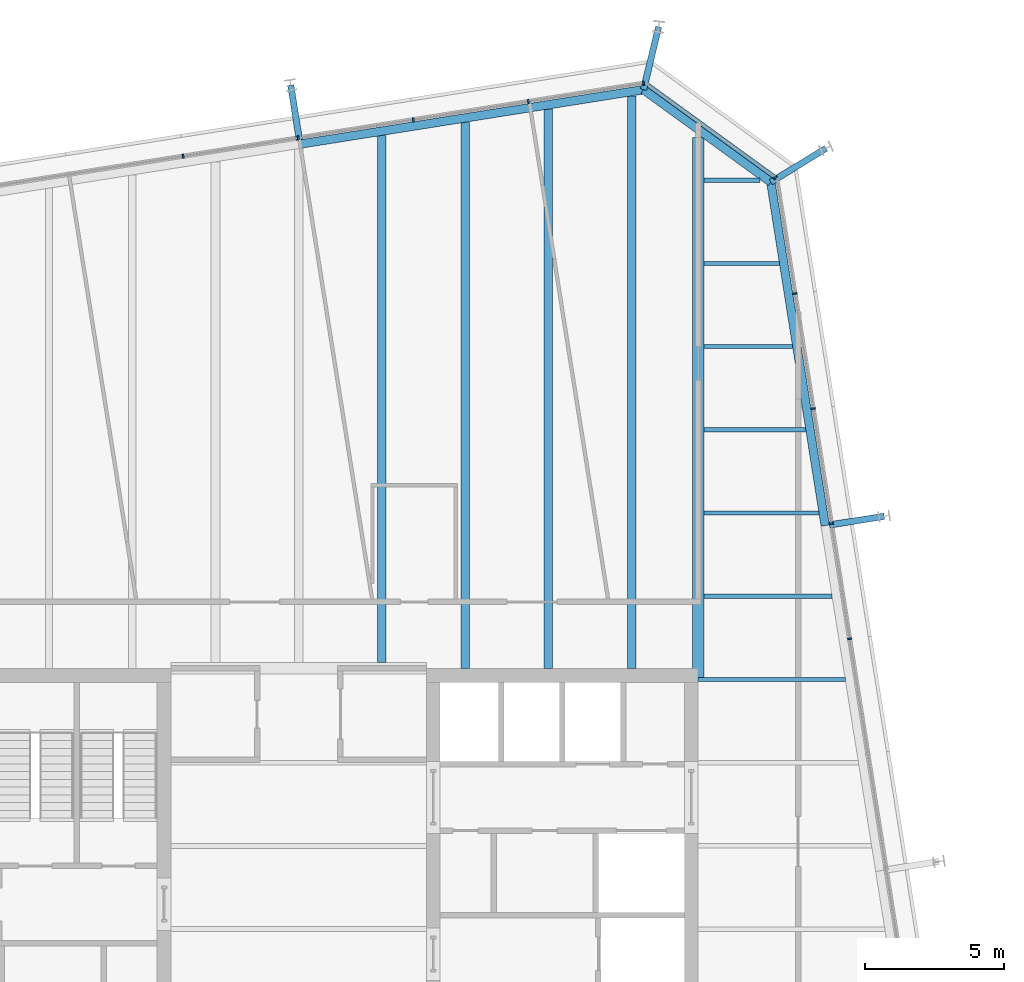
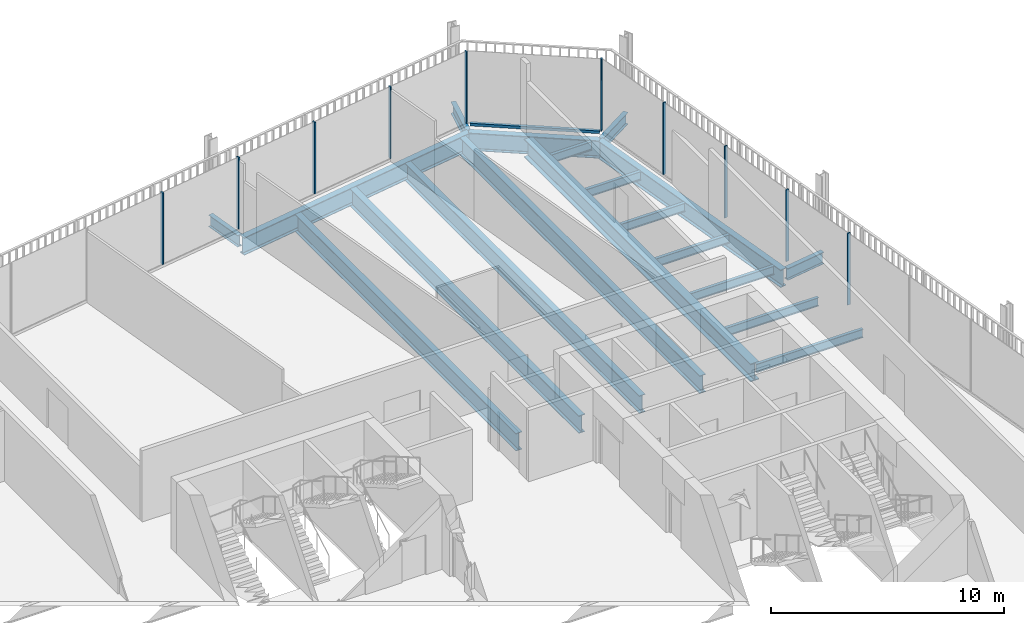
# One storey, part 14 of 20: 19 beams, 11 members, 3 elements without a shape of their own.
"""IFC4 building model written with IfcOpenShell, lengths in metres."""

import ifcopenshell
import ifcopenshell.guid

model = None  # the IFC model being written
_history = None  # IfcOwnerHistory: only IFC2X3 demands one
_inside = {}  # id of a spatial element -> (the spatial element, [elements in it])
_under = {}  # id of a project, library or spatial element -> (it, [spatial elements below it])
_declared = {}  # id of a project -> (the project, [libraries it declares])
_typed = {}  # id of a type object -> (the type object, [elements of that type])
_made_of = {}  # id of a material, layer set ... -> (it, [elements and type objects made of it])


def new_model(schema):
    """Start an empty IFC model of exactly this schema.

    Asked for "IFC4X3", IfcOpenShell would pick the latest addendum, in which some entities
    have other attributes; the version numbers below select the first issue.
    IFC2X3 requires an IfcOwnerHistory on every rooted entity: one is made here for all.
    """
    global model, _history
    if schema == "IFC4X3":
        model = ifcopenshell.file(schema_version=(4, 3, 0, 0))
    else:
        model = ifcopenshell.file(schema=schema)
    _inside.clear()
    _under.clear()
    _declared.clear()
    _typed.clear()
    _made_of.clear()
    _history = None
    if model.schema == "IFC2X3":
        org = make("IfcOrganization", Name="unknown")
        user = make(
            "IfcPersonAndOrganization",
            ThePerson=make("IfcPerson", FamilyName="unknown"),
            TheOrganization=org,
        )
        app = make(
            "IfcApplication",
            ApplicationDeveloper=org,
            Version="unknown",
            ApplicationFullName="unknown",
            ApplicationIdentifier="unknown",
        )
        _history = make(
            "IfcOwnerHistory",
            OwningUser=user,
            OwningApplication=app,
            ChangeAction="ADDED",
            CreationDate=0,
        )
    return model


def make(cls, **values):
    """One entity of the class cls with the attributes given. An attribute that is None is left unset."""
    return model.create_entity(
        cls, **{name: value for name, value in values.items() if value is not None}
    )


def rooted(cls, **values):
    """An entity with a GlobalId (a new one), such as an element, a storey or a relation."""
    return make(cls, GlobalId=ifcopenshell.guid.new(), OwnerHistory=_history, **values)


def si_unit(unit_type, name, prefix=None):
    """IfcSIUnit, for example si_unit("LENGTHUNIT", "METRE", prefix="MILLI")."""
    return make("IfcSIUnit", UnitType=unit_type, Prefix=prefix, Name=name)


def assignment(units):
    """IfcUnitAssignment: the units of a project."""
    return None if units is None else make("IfcUnitAssignment", Units=units)


def point(xyz):
    """IfcCartesianPoint."""
    return None if xyz is None else make("IfcCartesianPoint", Coordinates=xyz)


def direction(xyz):
    """IfcDirection."""
    return None if xyz is None else make("IfcDirection", DirectionRatios=xyz)


def frame(location, z_axis=None, x_axis=None):
    """IfcAxis2Placement3D, a coordinate frame: its origin and axes. An axis left out is left unset."""
    return make(
        "IfcAxis2Placement3D",
        Location=point(location),
        Axis=direction(z_axis),
        RefDirection=direction(x_axis),
    )


def frame_2d(location, x_axis=None):
    """IfcAxis2Placement2D, a coordinate frame in the plane: its origin and x axis."""
    return make(
        "IfcAxis2Placement2D", Location=point(location), RefDirection=direction(x_axis)
    )


def origin():
    """The frame at (0, 0, 0) with its axes left unset."""
    return frame((0.0, 0.0, 0.0))


def origin_2d():
    """The frame at (0, 0) in the plane with its x axis left unset."""
    return frame_2d((0.0, 0.0))


def place(relative_to, where):
    """IfcLocalPlacement: puts the frame where relative to a parent placement (None: the world)."""
    return make(
        "IfcLocalPlacement", PlacementRelTo=relative_to, RelativePlacement=where
    )


def context(
    kind, dimensions, precision=None, world=None, true_north=None, identifier=None
):
    """IfcGeometricRepresentationContext, for example the 3D "Model" context."""
    return make(
        "IfcGeometricRepresentationContext",
        ContextIdentifier=identifier,
        ContextType=kind,
        CoordinateSpaceDimension=dimensions,
        Precision=precision,
        WorldCoordinateSystem=world,
        TrueNorth=true_north,
    )


def subcontext(parent, identifier, kind, view, scale=None):
    """IfcGeometricRepresentationSubContext, for example "Body" below "Model"."""
    return make(
        "IfcGeometricRepresentationSubContext",
        ContextIdentifier=identifier,
        ContextType=kind,
        ParentContext=parent,
        TargetScale=scale,
        TargetView=view,
    )


def project(units=None, contexts=None):
    """IfcProject with its units and contexts."""
    return rooted(
        "IfcProject",
        Name="project",
        RepresentationContexts=contexts,
        UnitsInContext=assignment(units),
    )


def spatial(cls, under=None, at=None, **own):
    """A site, building, storey or space (cls), placed at a placement, below another one or the project."""
    s = rooted(cls, ObjectPlacement=at, **own)
    if under is not None:
        _under.setdefault(under.id(), (under, []))[1].append(s)
    return s


def profile(cls, at=None, kind="AREA", **sizes):
    """A parametric profile (cls). Its sizes go by their IFC names, for example OverallWidth=200.0."""
    return make(cls, ProfileType=kind, Position=at, **sizes)


def rectangle(**sizes):
    """IfcRectangleProfileDef."""
    return profile("IfcRectangleProfileDef", **sizes)


def i_section(**sizes):
    """IfcIShapeProfileDef."""
    return profile("IfcIShapeProfileDef", **sizes)


def extrude(swept, where, along, depth):
    """IfcExtrudedAreaSolid: the profile swept, set in the frame where, extruded along a direction by depth."""
    return make(
        "IfcExtrudedAreaSolid",
        SweptArea=swept,
        Position=where,
        ExtrudedDirection=direction(along),
        Depth=depth,
    )


def shape(context_of_items, identifier, shape_type, items):
    """IfcShapeRepresentation: the items that make up one representation, for example the "Body"."""
    return make(
        "IfcShapeRepresentation",
        ContextOfItems=context_of_items,
        RepresentationIdentifier=identifier,
        RepresentationType=shape_type,
        Items=items,
    )


def material(Name=None, Category=None):
    """IfcMaterial."""
    return make("IfcMaterial", Name=Name, Category=Category)


def layer(
    of_material, thickness, ventilated=None, Name=None, Category=None, Priority=None
):
    """IfcMaterialLayer: one layer of a wall or slab, of a material (None: an air gap)."""
    return make(
        "IfcMaterialLayer",
        Material=of_material,
        LayerThickness=thickness,
        IsVentilated=ventilated,
        Name=Name,
        Category=Category,
        Priority=Priority,
    )


def layer_set(layers, Name=None):
    """IfcMaterialLayerSet."""
    return make("IfcMaterialLayerSet", MaterialLayers=layers, LayerSetName=Name)


def material_profile(
    of_material, cross_section, Name=None, Category=None, Priority=None
):
    """IfcMaterialProfile: a cross section and its material."""
    return make(
        "IfcMaterialProfile",
        Name=Name,
        Material=of_material,
        Profile=cross_section,
        Priority=Priority,
        Category=Category,
    )


def profile_set(profiles, Name=None, composite=None):
    """IfcMaterialProfileSet."""
    return make(
        "IfcMaterialProfileSet",
        Name=Name,
        MaterialProfiles=profiles,
        CompositeProfile=composite,
    )


def made_of(thing, what):
    """Note that an element or type object is made of a material, layer set ...; save() writes the relation."""
    if what is not None:
        _made_of.setdefault(what.id(), (what, []))[1].append(thing)
    return thing


def type_object(cls, material=None, **own):
    """A type object (cls), such as IfcWallType, which elements share."""
    return made_of(rooted(cls, **own), material)


def element(
    cls,
    number,
    at=None,
    inside=None,
    cuts=None,
    type_object=None,
    material=None,
    context=None,
    identifier="Body",
    shape_type=None,
    held_by="IfcProductDefinitionShape",
    body=None,
    shapes=None,
    **own,
):
    """One element of the class cls, such as IfcWall. Its Tag is "e" and its number.

    at: its placement. inside: the storey or other place that contains it. cuts: it is an
    opening in that element (IfcRelVoidsElement). A single representation is given by context,
    identifier, shape_type and body (its items); several are given by shapes. held_by: the class
    of the entity that holds the representations. save() writes the other relations.
    """
    e = rooted(cls, Tag="e%d" % number, ObjectPlacement=at, **own)
    if body is not None:
        shapes = [shape(context, identifier, shape_type, body)]
    if shapes is not None:
        e.Representation = make(held_by, Representations=shapes)
    if inside is not None:
        _inside.setdefault(inside.id(), (inside, []))[1].append(e)
    if cuts is not None:
        rooted(
            "IfcRelVoidsElement", RelatingBuildingElement=cuts, RelatedOpeningElement=e
        )
    if type_object is not None:
        _typed.setdefault(type_object.id(), (type_object, []))[1].append(e)
    return made_of(e, material)


def aggregate(whole, parts):
    """IfcRelAggregates: a whole, such as a stair, and the parts it consists of."""
    return rooted("IfcRelAggregates", RelatingObject=whole, RelatedObjects=parts)


def save(model, path):
    """Write the relations noted so far, then the file.

    IfcRelAggregates (storeys below a building ...), IfcRelContainedInSpatialStructure (elements
    in a storey), IfcRelDefinesByType, IfcRelAssociatesMaterial and IfcRelDeclares: one each for
    every whole, place, type object, material and project.
    """
    for whole, parts in _under.values():
        aggregate(whole, parts)
    for where, things in _inside.values():
        rooted(
            "IfcRelContainedInSpatialStructure",
            RelatedElements=things,
            RelatingStructure=where,
        )
    for kind, things in _typed.values():
        rooted("IfcRelDefinesByType", RelatedObjects=things, RelatingType=kind)
    for what, things in _made_of.values():
        rooted("IfcRelAssociatesMaterial", RelatedObjects=things, RelatingMaterial=what)
    for by, libraries in _declared.values():
        rooted("IfcRelDeclares", RelatingContext=by, RelatedDefinitions=libraries)
    model.write(path)


model = new_model("IFC4")

# Units and contexts
model_context = context("Model", 3, precision=1e-05, world=origin(), true_north=direction((0.0, 1.0)))
body_context = subcontext(model_context, "Body", "Model", "MODEL_VIEW")
ifc_project = project(units=[si_unit("LENGTHUNIT", "METRE"), si_unit("AREAUNIT", "SQUARE_METRE"), si_unit("VOLUMEUNIT", "CUBIC_METRE"), si_unit("PLANEANGLEUNIT", "RADIAN"), si_unit("MASSUNIT", "GRAM", prefix="KILO")], contexts=[model_context])

# Site, building, storey
site_placement = place(None, origin())
site = spatial("IfcSite", under=ifc_project, at=site_placement, CompositionType="ELEMENT")
building_placement = place(site_placement, origin())
building = spatial("IfcBuilding", under=site, at=building_placement, Name="Millrace Tower", CompositionType="ELEMENT")
storey_placement = place(building_placement, frame((0.0, 0.0, 251.300048828125)))
storey = spatial("IfcBuildingStorey", under=building, at=storey_placement, Name="L57", CompositionType="ELEMENT", Elevation=251.300048828125)

# Curtain wall, members
ifc_material_1 = material(Name="Aluminium and glass", Category="aluminium")
ifc_layer = layer(ifc_material_1, 0.14990234375)
ifc_layer_set = layer_set([ifc_layer], Name="Aluminium and glass")
curtain_wall_type = type_object("IfcCurtainWallType", Name="CW-1 office vision curtain wall", PredefinedType="NOTDEFINED", material=ifc_layer_set)
placement = place(storey_placement, origin())
curtain_wall_1 = element("IfcCurtainWall", 1, at=placement, inside=storey, type_object=curtain_wall_type, Name="Curtain wall D-F04 L57", PredefinedType="NOTDEFINED")
ifc_material_2 = material(Name="Aluminium", Category="aluminium")
ifc_material_profile_1 = material_profile(ifc_material_2, rectangle(XDim=0.06494140625, YDim=0.14990234375, at=origin_2d()))
ifc_profile_set_1 = profile_set([ifc_material_profile_1], Name="Aluminium")
member_type_1 = type_object("IfcMemberType", Name="CW-1 office vision curtain wall mullion", PredefinedType="MULLION", material=ifc_profile_set_1)
member_1_placement = place(storey_placement, frame((19.857421875, 10.466064453125, 0.139892578125), z_axis=(0.0, 0.0, 1.0), x_axis=(-0.156434471884, 0.987688339511, 0.0)))
member_1 = element("IfcMember", 2, at=member_1_placement, type_object=member_type_1, Name="CW1 mullion D-F04.6", PredefinedType="MULLION", context=body_context, shape_type="SweptSolid", body=[
    extrude(rectangle(XDim=0.06494140625, YDim=0.14990234375, at=origin_2d()), origin(), (0.0, 0.0, 1.0), 3.760009765625),
])
member_2_placement = place(storey_placement, frame((19.2001953125, 14.6142578125, 0.139892578125), z_axis=(0.0, 0.0, 1.0), x_axis=(-0.156434471884, 0.987688339511, 0.0)))
member_2 = element("IfcMember", 3, at=member_2_placement, type_object=member_type_1, Name="CW1 mullion D-F04.7", PredefinedType="MULLION", context=body_context, shape_type="SweptSolid", body=[
    extrude(rectangle(XDim=0.06494140625, YDim=0.14990234375, at=origin_2d()), origin(), (0.0, 0.0, 1.0), 3.760009765625),
])
member_3_placement = place(storey_placement, frame((18.543212890625, 18.762451171875, 0.139892578125), z_axis=(0.0, 0.0, 1.0), x_axis=(-0.156434471884, 0.987688339511, 0.0)))
member_3 = element("IfcMember", 4, at=member_3_placement, type_object=member_type_1, Name="CW1 mullion D-F04.8", PredefinedType="MULLION", context=body_context, shape_type="SweptSolid", body=[
    extrude(rectangle(XDim=0.06494140625, YDim=0.14990234375, at=origin_2d()), origin(), (0.0, 0.0, 1.0), 3.760009765625),
])
member_4_placement = place(storey_placement, frame((17.88623046875, 22.910888671875, 0.139892578125), z_axis=(0.0, 0.0, 1.0), x_axis=(-0.156434471884, 0.987688339511, 0.0)))
member_4 = element("IfcMember", 5, at=member_4_placement, type_object=member_type_1, Name="CW1 mullion D-F04.9", PredefinedType="MULLION", context=body_context, shape_type="SweptSolid", body=[
    extrude(rectangle(XDim=0.06494140625, YDim=0.14990234375, at=origin_2d()), origin(), (0.0, 0.0, 1.0), 3.760009765625),
])
aggregate(curtain_wall_1, [member_1, member_2, member_3, member_4])

# Curtain wall, member
curtain_wall_2 = element("IfcCurtainWall", 6, at=placement, inside=storey, type_object=curtain_wall_type, Name="Curtain wall D-F05 L57", PredefinedType="NOTDEFINED")
member_5_placement = place(storey_placement, frame((17.177978515625, 27.094970703125, 0.139892578125), z_axis=(0.0, 0.0, 1.0), x_axis=(-0.809016955361, 0.587785305991, 0.0)))
member_5 = element("IfcMember", 7, at=member_5_placement, type_object=member_type_1, Name="CW1 mullion D-F05.1", PredefinedType="MULLION", context=body_context, shape_type="SweptSolid", body=[
    extrude(rectangle(XDim=0.06494140625, YDim=0.14990234375, at=origin_2d()), origin(), (0.0, 0.0, 1.0), 3.760009765625),
])

# Curtain wall, members
curtain_wall_3 = element("IfcCurtainWall", 8, at=placement, inside=storey, type_object=curtain_wall_type, Name="Curtain wall D-F06 L57", PredefinedType="NOTDEFINED")
member_6_placement = place(storey_placement, frame((12.425537109375, 30.492431640625, 0.139892578125), z_axis=(0.0, 0.0, 1.0), x_axis=(-0.987688339511, -0.156434471884, 0.0)))
member_6 = element("IfcMember", 9, at=member_6_placement, type_object=member_type_1, Name="CW1 mullion D-F06.1", PredefinedType="MULLION", context=body_context, shape_type="SweptSolid", body=[
    extrude(rectangle(XDim=0.06494140625, YDim=0.14990234375, at=origin_2d()), origin(), (0.0, 0.0, 1.0), 3.760009765625),
])
member_7_placement = place(storey_placement, frame((8.277099609375, 29.83544921875, 0.139892578125), z_axis=(0.0, 0.0, 1.0), x_axis=(-0.987688339511, -0.156434471884, 0.0)))
member_7 = element("IfcMember", 10, at=member_7_placement, type_object=member_type_1, Name="CW1 mullion D-F06.2", PredefinedType="MULLION", context=body_context, shape_type="SweptSolid", body=[
    extrude(rectangle(XDim=0.06494140625, YDim=0.14990234375, at=origin_2d()), origin(), (0.0, 0.0, 1.0), 3.760009765625),
])
member_8_placement = place(storey_placement, frame((4.12890625, 29.178466796875, 0.139892578125), z_axis=(0.0, 0.0, 1.0), x_axis=(-0.987688339511, -0.156434471884, 0.0)))
member_8 = element("IfcMember", 11, at=member_8_placement, type_object=member_type_1, Name="CW1 mullion D-F06.3", PredefinedType="MULLION", context=body_context, shape_type="SweptSolid", body=[
    extrude(rectangle(XDim=0.06494140625, YDim=0.14990234375, at=origin_2d()), origin(), (0.0, 0.0, 1.0), 3.760009765625),
])
member_9_placement = place(storey_placement, frame((-0.019287109375, 28.521240234375, 0.139892578125), z_axis=(0.0, 0.0, 1.0), x_axis=(-0.987688339511, -0.156434471884, 0.0)))
member_9 = element("IfcMember", 12, at=member_9_placement, type_object=member_type_1, Name="CW1 mullion D-F06.4", PredefinedType="MULLION", context=body_context, shape_type="SweptSolid", body=[
    extrude(rectangle(XDim=0.06494140625, YDim=0.14990234375, at=origin_2d()), origin(), (0.0, 0.0, 1.0), 3.760009765625),
])
member_10_placement = place(storey_placement, frame((-4.167724609375, 27.8642578125, 0.139892578125), z_axis=(0.0, 0.0, 1.0), x_axis=(-0.987688339511, -0.156434471884, 0.0)))
member_10 = element("IfcMember", 13, at=member_10_placement, type_object=member_type_1, Name="CW1 mullion D-F06.5", PredefinedType="MULLION", context=body_context, shape_type="SweptSolid", body=[
    extrude(rectangle(XDim=0.06494140625, YDim=0.14990234375, at=origin_2d()), origin(), (0.0, 0.0, 1.0), 3.760009765625),
])
aggregate(curtain_wall_3, [member_6, member_7, member_8, member_9, member_10])

# Member
ifc_material_3 = material(Name="Aluminium", Category="aluminium")
ifc_material_profile_2 = material_profile(ifc_material_3, rectangle(XDim=0.14990234375, YDim=0.139892578125, at=origin_2d()))
ifc_profile_set_2 = profile_set([ifc_material_profile_2], Name="Aluminium")
member_type_2 = type_object("IfcMemberType", Name="CW-1 office vision curtain wall transom", PredefinedType="USERDEFINED", material=ifc_profile_set_2)
member_11_placement = place(storey_placement, frame((17.123291015625, 27.134765625, 0.070068359375), z_axis=(-0.809018869857, 0.587782670904, 0.0), x_axis=(-0.587782670904, -0.809018869857, 0.0)))
member_11 = element("IfcMember", 14, at=member_11_placement, type_object=member_type_2, Name="CW1 transom D-F05.1", ObjectType="TRANSOM", PredefinedType="USERDEFINED", context=body_context, shape_type="SweptSolid", body=[
    extrude(rectangle(XDim=0.14990234375, YDim=0.139892578125, at=origin_2d()), origin(), (0.0, 0.0, 1.0), 5.59814453125),
])

aggregate(curtain_wall_2, [member_5, member_11])

# Beams
ifc_material_4 = material(Name="Steel ASTM A992 Grade 50", Category="steel")
ifc_material_profile_3 = material_profile(ifc_material_4, i_section(OverallWidth=0.15234375, OverallDepth=0.449462890625, WebThickness=0.007568359375, FlangeThickness=0.0107421875, FilletRadius=0.01025390625, at=origin_2d()))
ifc_profile_set_3 = profile_set([ifc_material_profile_3], Name="Steel ASTM A992 Grade 50")
beam_type_1 = type_object("IfcBeamType", Name="Floor beam W18x35", PredefinedType="JOIST", material=ifc_profile_set_3)
beam_1_placement = place(storey_placement, frame((14.39990234375, 9.0, -0.384765625), z_axis=(1.0, 0.0, 0.0), x_axis=(0.0, 1.0, 0.0)))
element("IfcBeam", 15, at=beam_1_placement, inside=storey, type_object=beam_type_1, Name="BM-D-L57-S1-S024", PredefinedType="JOIST", context=body_context, shape_type="SweptSolid", body=[
    extrude(i_section(OverallWidth=0.15234375, OverallDepth=0.449462890625, WebThickness=0.007568359375, FlangeThickness=0.0107421875, FilletRadius=0.01025390625, at=origin_2d()), origin(), (0.0, 0.0, 1.0), 5.302490234375),
])
beam_2_placement = place(storey_placement, frame((14.609619140625, 12.0, -0.384765625), z_axis=(1.0, 0.0, 0.0), x_axis=(0.0, 1.0, 0.0)))
element("IfcBeam", 16, at=beam_2_placement, inside=storey, type_object=beam_type_1, Name="BM-D-L57-S1-S026", PredefinedType="JOIST", context=body_context, shape_type="SweptSolid", body=[
    extrude(i_section(OverallWidth=0.15234375, OverallDepth=0.449462890625, WebThickness=0.007568359375, FlangeThickness=0.0107421875, FilletRadius=0.01025390625, at=origin_2d()), origin(), (0.0, 0.0, 1.0), 4.61767578125),
])
beam_3_placement = place(storey_placement, frame((14.609619140625, 15.0, -0.384765625), z_axis=(1.0, 0.0, 0.0), x_axis=(0.0, 1.0, 0.0)))
element("IfcBeam", 17, at=beam_3_placement, inside=storey, type_object=beam_type_1, Name="BM-D-L57-S1-S028", PredefinedType="JOIST", context=body_context, shape_type="SweptSolid", body=[
    extrude(i_section(OverallWidth=0.15234375, OverallDepth=0.449462890625, WebThickness=0.007568359375, FlangeThickness=0.0107421875, FilletRadius=0.01025390625, at=origin_2d()), origin(), (0.0, 0.0, 1.0), 4.142578125),
])
beam_4_placement = place(storey_placement, frame((14.609619140625, 18.0, -0.384765625), z_axis=(1.0, 0.0, 0.0), x_axis=(0.0, 1.0, 0.0)))
element("IfcBeam", 18, at=beam_4_placement, inside=storey, type_object=beam_type_1, Name="BM-D-L57-S1-S030", PredefinedType="JOIST", context=body_context, shape_type="SweptSolid", body=[
    extrude(i_section(OverallWidth=0.15234375, OverallDepth=0.449462890625, WebThickness=0.007568359375, FlangeThickness=0.0107421875, FilletRadius=0.01025390625, at=origin_2d()), origin(), (0.0, 0.0, 1.0), 3.667236328125),
])
beam_5_placement = place(storey_placement, frame((14.609619140625, 21.0, -0.384765625), z_axis=(1.0, 0.0, 0.0), x_axis=(0.0, 1.0, 0.0)))
element("IfcBeam", 19, at=beam_5_placement, inside=storey, type_object=beam_type_1, Name="BM-D-L57-S1-S032", PredefinedType="JOIST", context=body_context, shape_type="SweptSolid", body=[
    extrude(i_section(OverallWidth=0.15234375, OverallDepth=0.449462890625, WebThickness=0.007568359375, FlangeThickness=0.0107421875, FilletRadius=0.01025390625, at=origin_2d()), origin(), (0.0, 0.0, 1.0), 3.192138671875),
])
beam_6_placement = place(storey_placement, frame((14.609619140625, 24.0, -0.384765625), z_axis=(1.0, 0.0, 0.0), x_axis=(0.0, 1.0, 0.0)))
element("IfcBeam", 20, at=beam_6_placement, inside=storey, type_object=beam_type_1, Name="BM-D-L57-S1-S034", PredefinedType="JOIST", context=body_context, shape_type="SweptSolid", body=[
    extrude(i_section(OverallWidth=0.15234375, OverallDepth=0.449462890625, WebThickness=0.007568359375, FlangeThickness=0.0107421875, FilletRadius=0.01025390625, at=origin_2d()), origin(), (0.0, 0.0, 1.0), 2.717041015625),
])
beam_7_placement = place(storey_placement, frame((14.609619140625, 27.0, -0.384765625), z_axis=(1.0, 0.0, 0.0), x_axis=(0.0, 1.0, 0.0)))
element("IfcBeam", 21, at=beam_7_placement, inside=storey, type_object=beam_type_1, Name="BM-D-L57-S1-S035", PredefinedType="JOIST", context=body_context, shape_type="SweptSolid", body=[
    extrude(i_section(OverallWidth=0.15234375, OverallDepth=0.449462890625, WebThickness=0.007568359375, FlangeThickness=0.0107421875, FilletRadius=0.01025390625, at=origin_2d()), origin(), (0.0, 0.0, 1.0), 2.020751953125),
])
ifc_material_5 = material(Name="Steel ASTM A992 Grade 50", Category="steel")
ifc_material_profile_4 = material_profile(ifc_material_5, i_section(OverallWidth=0.307373046875, OverallDepth=0.927001953125, WebThickness=0.01953125, FlangeThickness=0.031982421875, FilletRadius=0.01904296875, at=origin_2d()))
ifc_profile_set_4 = profile_set([ifc_material_profile_4], Name="Steel ASTM A992 Grade 50")
beam_type_2 = type_object("IfcBeamType", Name="Floor beam W36x194", PredefinedType="JOIST", material=ifc_profile_set_4)
beam_8_placement = place(storey_placement, frame((3.0, 9.609619140625, -0.62353515625), z_axis=(0.0, 1.0, 0.0), x_axis=(-1.0, 0.0, 0.0)))
element("IfcBeam", 22, at=beam_8_placement, inside=storey, type_object=beam_type_2, Name="BM-D-L57-S1-S046", PredefinedType="JOIST", context=body_context, shape_type="SweptSolid", body=[
    extrude(i_section(OverallWidth=0.307373046875, OverallDepth=0.927001953125, WebThickness=0.01953125, FlangeThickness=0.031982421875, FilletRadius=0.01904296875, at=origin_2d()), origin(), (0.0, 0.0, 1.0), 19.0029296875),
])
beam_9_placement = place(storey_placement, frame((6.0, 9.39990234375, -0.62353515625), z_axis=(0.0, 1.0, 0.0), x_axis=(-1.0, 0.0, 0.0)))
element("IfcBeam", 23, at=beam_9_placement, inside=storey, type_object=beam_type_2, Name="BM-D-L57-S1-S048", PredefinedType="JOIST", context=body_context, shape_type="SweptSolid", body=[
    extrude(i_section(OverallWidth=0.307373046875, OverallDepth=0.927001953125, WebThickness=0.01953125, FlangeThickness=0.031982421875, FilletRadius=0.01904296875, at=origin_2d()), origin(), (0.0, 0.0, 1.0), 19.687744140625),
])
beam_10_placement = place(storey_placement, frame((9.0, 9.39990234375, -0.62353515625), z_axis=(0.0, 1.0, 0.0), x_axis=(-1.0, 0.0, 0.0)))
element("IfcBeam", 24, at=beam_10_placement, inside=storey, type_object=beam_type_2, Name="BM-D-L57-S1-S050", PredefinedType="JOIST", context=body_context, shape_type="SweptSolid", body=[
    extrude(i_section(OverallWidth=0.307373046875, OverallDepth=0.927001953125, WebThickness=0.01953125, FlangeThickness=0.031982421875, FilletRadius=0.01904296875, at=origin_2d()), origin(), (0.0, 0.0, 1.0), 20.162841796875),
])
beam_11_placement = place(storey_placement, frame((12.0, 9.39990234375, -0.62353515625), z_axis=(0.0, 1.0, 0.0), x_axis=(-1.0, 0.0, 0.0)))
element("IfcBeam", 25, at=beam_11_placement, inside=storey, type_object=beam_type_2, Name="BM-D-L57-S1-S052", PredefinedType="JOIST", context=body_context, shape_type="SweptSolid", body=[
    extrude(i_section(OverallWidth=0.307373046875, OverallDepth=0.927001953125, WebThickness=0.01953125, FlangeThickness=0.031982421875, FilletRadius=0.01904296875, at=origin_2d()), origin(), (0.0, 0.0, 1.0), 20.637939453125),
])
ifc_material_6 = material(Name="Steel ASTM A992 Grade 50", Category="steel")
ifc_material_profile_5 = material_profile(ifc_material_6, i_section(OverallWidth=0.424072265625, OverallDepth=0.947509765625, WebThickness=0.02392578125, FlangeThickness=0.042724609375, FilletRadius=0.024169921875, at=origin_2d()))
ifc_profile_set_5 = profile_set([ifc_material_profile_5], Name="Steel ASTM A992 Grade 50")
beam_type_3 = type_object("IfcBeamType", Name="Girder medium span W36x302", PredefinedType="BEAM", material=ifc_profile_set_5)
beam_12_placement = place(storey_placement, frame((14.39990234375, 9.080078125, -0.6337890625), z_axis=(0.0, 1.0, 0.0), x_axis=(-1.0, 0.0, 0.0)))
element("IfcBeam", 26, at=beam_12_placement, inside=storey, type_object=beam_type_3, Name="BM-D-L57-S1-G056", PredefinedType="BEAM", context=body_context, shape_type="SweptSolid", body=[
    extrude(i_section(OverallWidth=0.424072265625, OverallDepth=0.947509765625, WebThickness=0.02392578125, FlangeThickness=0.042724609375, FilletRadius=0.024169921875, at=origin_2d()), origin(), (0.0, 0.0, 1.0), 19.460693359375),
])
ifc_material_7 = material(Name="Steel ASTM A992 Grade 50", Category="steel")
ifc_material_profile_6 = material_profile(ifc_material_7, i_section(OverallWidth=0.23046875, OverallDepth=0.6171875, WebThickness=0.01318359375, FlangeThickness=0.022216796875, FilletRadius=0.012939453125, at=origin_2d()))
ifc_profile_set_6 = profile_set([ifc_material_profile_6], Name="Steel ASTM A992 Grade 50")
beam_type_4 = type_object("IfcBeamType", Name="Link beam W24x94", PredefinedType="BEAM", material=ifc_profile_set_6)
beam_13_placement = place(storey_placement, frame((0.0244140625, 28.452392578125, -0.46875), z_axis=(-0.15637629034, 0.987697552806, 0.0), x_axis=(-0.987697552806, -0.15637629034, 0.0)))
element("IfcBeam", 27, at=beam_13_placement, inside=storey, type_object=beam_type_4, Name="LNK-D-L57-S1-07", PredefinedType="BEAM", context=body_context, shape_type="SweptSolid", body=[
    extrude(i_section(OverallWidth=0.23046875, OverallDepth=0.6171875, WebThickness=0.01318359375, FlangeThickness=0.022216796875, FilletRadius=0.012939453125, at=origin_2d()), origin(), (0.0, 0.0, 1.0), 2.0),
])
beam_14_placement = place(storey_placement, frame((12.430419921875, 30.26171875, -0.46875), z_axis=(0.233456138164, 0.972367333652, 0.0), x_axis=(-0.972367333652, 0.233456138164, 0.0)))
element("IfcBeam", 28, at=beam_14_placement, inside=storey, type_object=beam_type_4, Name="LNK-D-L57-S1-08", PredefinedType="BEAM", context=body_context, shape_type="SweptSolid", body=[
    extrude(i_section(OverallWidth=0.23046875, OverallDepth=0.6171875, WebThickness=0.01318359375, FlangeThickness=0.022216796875, FilletRadius=0.012939453125, at=origin_2d()), origin(), (0.0, 0.0, 1.0), 2.3310546875),
])
beam_15_placement = place(storey_placement, frame((17.018310546875, 26.928466796875, -0.46875), z_axis=(0.852659946142, 0.5224662824, 0.0), x_axis=(-0.5224662824, 0.852659946142, 0.0)))
element("IfcBeam", 29, at=beam_15_placement, inside=storey, type_object=beam_type_4, Name="LNK-D-L57-S1-09", PredefinedType="BEAM", context=body_context, shape_type="SweptSolid", body=[
    extrude(i_section(OverallWidth=0.23046875, OverallDepth=0.6171875, WebThickness=0.01318359375, FlangeThickness=0.022216796875, FilletRadius=0.012939453125, at=origin_2d()), origin(), (0.0, 0.0, 1.0), 2.331298828125),
])
beam_16_placement = place(storey_placement, frame((19.13134765625, 14.5703125, -0.46875), z_axis=(0.987678691416, 0.156495375404, 0.0), x_axis=(-0.156495375404, 0.987678691416, 0.0)))
element("IfcBeam", 30, at=beam_16_placement, inside=storey, type_object=beam_type_4, Name="LNK-D-L57-S1-10", PredefinedType="BEAM", context=body_context, shape_type="SweptSolid", body=[
    extrude(i_section(OverallWidth=0.23046875, OverallDepth=0.6171875, WebThickness=0.01318359375, FlangeThickness=0.022216796875, FilletRadius=0.012939453125, at=origin_2d()), origin(), (0.0, 0.0, 1.0), 2.0),
])
ifc_material_8 = material(Name="Steel ASTM A992 Grade 50", Category="steel")
ifc_material_profile_7 = material_profile(ifc_material_8, i_section(OverallWidth=0.307373046875, OverallDepth=0.927001953125, WebThickness=0.01953125, FlangeThickness=0.031982421875, FilletRadius=0.01904296875, at=origin_2d()))
ifc_profile_set_7 = profile_set([ifc_material_profile_7], Name="Steel ASTM A992 Grade 50")
beam_type_5 = type_object("IfcBeamType", Name="Ring beam medium span W36x194", PredefinedType="SPANDREL", material=ifc_profile_set_7)
beam_17_placement = place(storey_placement, frame((0.048583984375, 28.300537109375, -0.62353515625), z_axis=(0.987687213011, 0.156441584157, 0.0), x_axis=(-0.156441584157, 0.987687213011, 0.0)))
element("IfcBeam", 31, at=beam_17_placement, inside=storey, type_object=beam_type_5, Name="RNG-D-L57-S1-07", PredefinedType="SPANDREL", context=body_context, shape_type="SweptSolid", body=[
    extrude(i_section(OverallWidth=0.307373046875, OverallDepth=0.927001953125, WebThickness=0.01953125, FlangeThickness=0.031982421875, FilletRadius=0.01904296875, at=origin_2d()), origin(), (0.0, 0.0, 1.0), 12.5361328125),
])
beam_18_placement = place(storey_placement, frame((17.018310546875, 26.928466796875, -0.62353515625), z_axis=(0.156438575049, -0.987687689625, 0.0), x_axis=(0.987687689625, 0.156438575049, 0.0)))
element("IfcBeam", 32, at=beam_18_placement, inside=storey, type_object=beam_type_5, Name="RNG-D-L57-S1-09", PredefinedType="SPANDREL", context=body_context, shape_type="SweptSolid", body=[
    extrude(i_section(OverallWidth=0.307373046875, OverallDepth=0.927001953125, WebThickness=0.01953125, FlangeThickness=0.031982421875, FilletRadius=0.01904296875, at=origin_2d()), origin(), (0.0, 0.0, 1.0), 12.536376953125),
])
ifc_material_9 = material(Name="Steel ASTM A992 Grade 50", Category="steel")
ifc_material_profile_8 = material_profile(ifc_material_9, i_section(OverallWidth=0.307373046875, OverallDepth=0.927001953125, WebThickness=0.01953125, FlangeThickness=0.031982421875, FilletRadius=0.01904296875, at=origin_2d()))
ifc_profile_set_8 = profile_set([ifc_material_profile_8], Name="Steel ASTM A992 Grade 50")
beam_type_6 = type_object("IfcBeamType", Name="Ring beam short span W36x194", PredefinedType="SPANDREL", material=ifc_profile_set_8)
beam_19_placement = place(storey_placement, frame((12.430419921875, 30.26171875, -0.62353515625), z_axis=(0.80902082646, -0.587779977844, 0.0), x_axis=(0.587779977844, 0.80902082646, 0.0)))
element("IfcBeam", 33, at=beam_19_placement, inside=storey, type_object=beam_type_6, Name="RNG-D-L57-S1-08", PredefinedType="SPANDREL", context=body_context, shape_type="SweptSolid", body=[
    extrude(i_section(OverallWidth=0.307373046875, OverallDepth=0.927001953125, WebThickness=0.01953125, FlangeThickness=0.031982421875, FilletRadius=0.01904296875, at=origin_2d()), origin(), (0.0, 0.0, 1.0), 5.6708984375),
])

save(model, "model.ifc")
